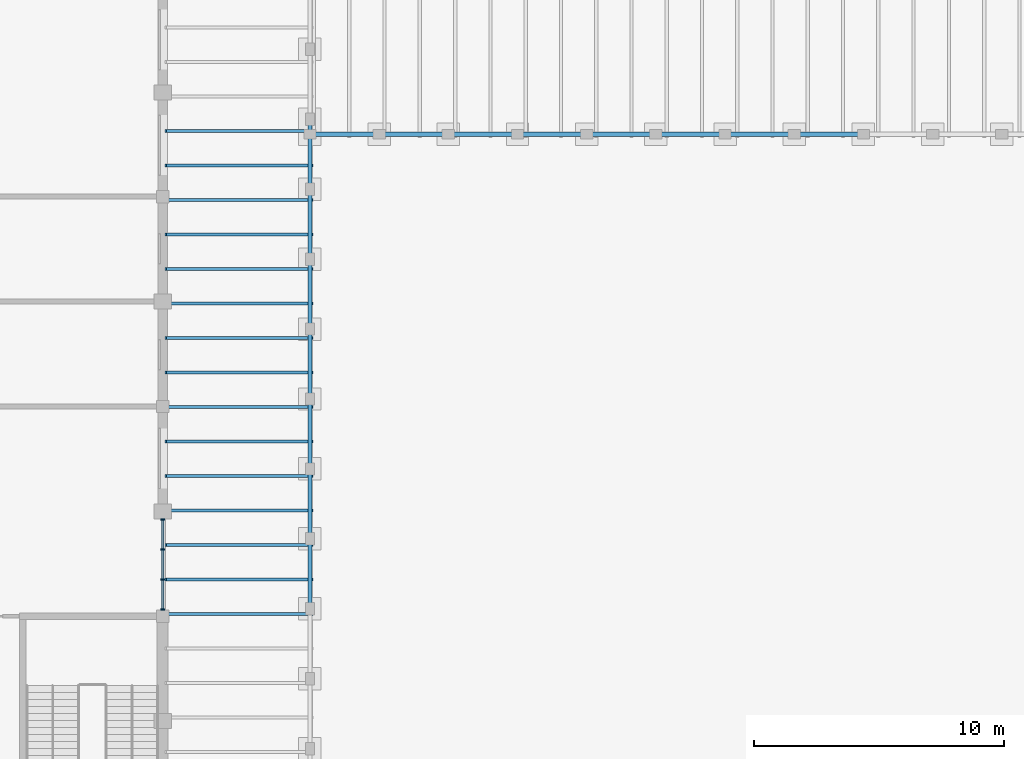
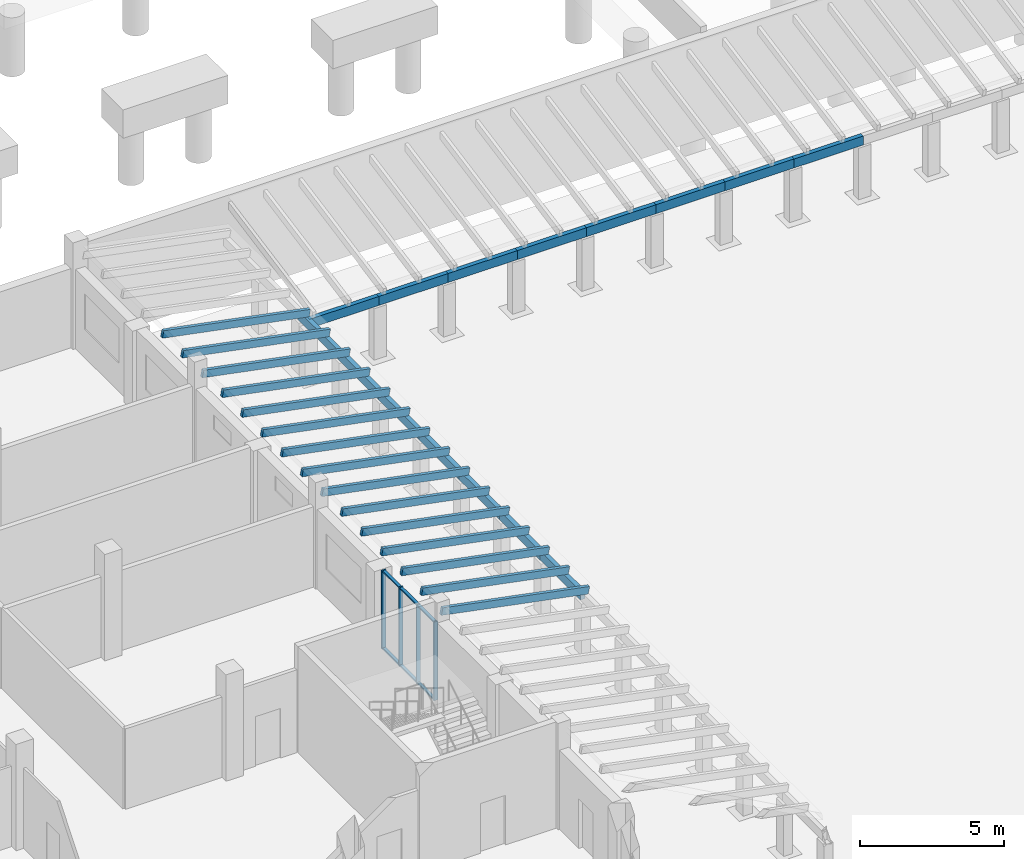
# One storey, part 12 of 60: 25 members, 15 beams, 1 element without a shape of its own.
"""IFC4 building model written with IfcOpenShell, lengths in metres."""

from ifc_helpers import new_model, si_unit, direction, frame, origin, origin_2d, place, context, subcontext, project, spatial, rectangle, extrude, material, material_profile, profile_set, type_object, element, aggregate, save


model = new_model("IFC4")

# Units and contexts
model_context = context("Model", 3, precision=1e-05, world=origin(), true_north=direction((0.0, 1.0)))
body_context = subcontext(model_context, "Body", "Model", "MODEL_VIEW")
ifc_project = project(units=[si_unit("LENGTHUNIT", "METRE"), si_unit("AREAUNIT", "SQUARE_METRE"), si_unit("VOLUMEUNIT", "CUBIC_METRE"), si_unit("PLANEANGLEUNIT", "RADIAN"), si_unit("MASSUNIT", "GRAM", prefix="KILO")], contexts=[model_context])

# Site, building, storey
site_placement = place(None, origin())
site = spatial("IfcSite", under=ifc_project, at=site_placement, CompositionType="ELEMENT")
building_placement = place(site_placement, origin())
building = spatial("IfcBuilding", under=site, at=building_placement, Name="Fescue Hill Polytechnic", CompositionType="ELEMENT")
storey_placement = place(building_placement, frame((0.0, 0.0, 4.5)))
storey = spatial("IfcBuildingStorey", under=building, at=storey_placement, Name="L01", CompositionType="ELEMENT", Elevation=4.5)

# Curtain wall, members
ifc_material_1 = material(Name="Glass", Category="glass")
curtain_wall_type = type_object("IfcCurtainWallType", Name="Curtain wall structural glazing", PredefinedType="NOTDEFINED", material=ifc_material_1)
curtain_wall_placement = place(storey_placement, origin())
curtain_wall = element("IfcCurtainWall", 1, at=curtain_wall_placement, inside=storey, type_object=curtain_wall_type, Name="CW-L01-V4-X1", PredefinedType="NOTDEFINED")
ifc_material_2 = material(Name="Powder-coated aluminium", Category="aluminium")
ifc_material_profile_1 = material_profile(ifc_material_2, rectangle(XDim=0.159912109375, YDim=0.06005859375, at=origin_2d()), Name="Mullion aluminium 60x160")
ifc_profile_set_1 = profile_set([ifc_material_profile_1], Name="Powder-coated aluminium")
member_type_1 = type_object("IfcMemberType", Name="Mullion aluminium 60x160", PredefinedType="MULLION", material=ifc_profile_set_1)
member_1_placement = place(storey_placement, frame((25.199951171875, 84.280029296875, 0.0), z_axis=(0.0, 0.0, 1.0), x_axis=(-1.0, 0.0, 0.0)))
member_1 = element("IfcMember", 2, at=member_1_placement, type_object=member_type_1, Name="CW134 mullion 1", PredefinedType="MULLION", context=body_context, shape_type="SweptSolid", body=[
    extrude(rectangle(XDim=0.159912109375, YDim=0.06005859375, at=origin_2d()), origin(), (0.0, 0.0, 1.0), 3.330078125),
])
member_2_placement = place(storey_placement, frame((25.199951171875, 85.466552734375, 0.0), z_axis=(0.0, 0.0, 1.0), x_axis=(-1.0, 0.0, 0.0)))
member_2 = element("IfcMember", 3, at=member_2_placement, type_object=member_type_1, Name="CW134 mullion 2", PredefinedType="MULLION", context=body_context, shape_type="SweptSolid", body=[
    extrude(rectangle(XDim=0.159912109375, YDim=0.06005859375, at=origin_2d()), origin(), (0.0, 0.0, 1.0), 3.330078125),
])
member_3_placement = place(storey_placement, frame((25.199951171875, 86.683349609375, 0.0), z_axis=(0.0, 0.0, 1.0), x_axis=(-1.0, 0.0, 0.0)))
member_3 = element("IfcMember", 4, at=member_3_placement, type_object=member_type_1, Name="CW134 mullion 3", PredefinedType="MULLION", context=body_context, shape_type="SweptSolid", body=[
    extrude(rectangle(XDim=0.159912109375, YDim=0.06005859375, at=origin_2d()), origin(), (0.0, 0.0, 1.0), 3.330078125),
])
member_4_placement = place(storey_placement, frame((25.199951171875, 87.8701171875, 0.0), z_axis=(0.0, 0.0, 1.0), x_axis=(-1.0, 0.0, 0.0)))
member_4 = element("IfcMember", 5, at=member_4_placement, type_object=member_type_1, Name="CW134 mullion 4", PredefinedType="MULLION", context=body_context, shape_type="SweptSolid", body=[
    extrude(rectangle(XDim=0.159912109375, YDim=0.06005859375, at=origin_2d()), origin(), (0.0, 0.0, 1.0), 3.330078125),
])
ifc_material_profile_2 = material_profile(ifc_material_2, rectangle(XDim=0.1201171875, YDim=0.06005859375, at=origin_2d()), Name="Transom aluminium 60x120")
ifc_profile_set_2 = profile_set([ifc_material_profile_2], Name="Powder-coated aluminium")
member_type_2 = type_object("IfcMemberType", Name="Transom aluminium 60x120", PredefinedType="USERDEFINED", material=ifc_profile_set_2)
member_5_placement = place(storey_placement, frame((25.199951171875, 84.31005859375, 0.030029296875), z_axis=(0.0, 1.0, 0.0), x_axis=(-1.0, 0.0, 0.0)))
member_5 = element("IfcMember", 6, at=member_5_placement, type_object=member_type_2, Name="CW134 transom 1.1", ObjectType="TRANSOM", PredefinedType="USERDEFINED", context=body_context, shape_type="SweptSolid", body=[
    extrude(rectangle(XDim=0.1201171875, YDim=0.06005859375, at=origin_2d()), origin(), (0.0, 0.0, 1.0), 1.126708984375),
])
member_6_placement = place(storey_placement, frame((25.199951171875, 84.31005859375, 3.300048828125), z_axis=(0.0, 1.0, 0.0), x_axis=(-1.0, 0.0, 0.0)))
member_6 = element("IfcMember", 7, at=member_6_placement, type_object=member_type_2, Name="CW134 transom 1.2", ObjectType="TRANSOM", PredefinedType="USERDEFINED", context=body_context, shape_type="SweptSolid", body=[
    extrude(rectangle(XDim=0.1201171875, YDim=0.06005859375, at=origin_2d()), origin(), (0.0, 0.0, 1.0), 1.126708984375),
])
member_7_placement = place(storey_placement, frame((25.199951171875, 85.49658203125, 0.030029296875), z_axis=(0.0, 1.0, 0.0), x_axis=(-1.0, 0.0, 0.0)))
member_7 = element("IfcMember", 8, at=member_7_placement, type_object=member_type_2, Name="CW134 transom 2.1", ObjectType="TRANSOM", PredefinedType="USERDEFINED", context=body_context, shape_type="SweptSolid", body=[
    extrude(rectangle(XDim=0.1201171875, YDim=0.06005859375, at=origin_2d()), origin(), (0.0, 0.0, 1.0), 1.15673828125),
])
member_8_placement = place(storey_placement, frame((25.199951171875, 85.49658203125, 3.300048828125), z_axis=(0.0, 1.0, 0.0), x_axis=(-1.0, 0.0, 0.0)))
member_8 = element("IfcMember", 9, at=member_8_placement, type_object=member_type_2, Name="CW134 transom 2.2", ObjectType="TRANSOM", PredefinedType="USERDEFINED", context=body_context, shape_type="SweptSolid", body=[
    extrude(rectangle(XDim=0.1201171875, YDim=0.06005859375, at=origin_2d()), origin(), (0.0, 0.0, 1.0), 1.15673828125),
])
member_9_placement = place(storey_placement, frame((25.199951171875, 86.71337890625, 0.030029296875), z_axis=(0.0, 1.0, 0.0), x_axis=(-1.0, 0.0, 0.0)))
member_9 = element("IfcMember", 10, at=member_9_placement, type_object=member_type_2, Name="CW134 transom 3.1", ObjectType="TRANSOM", PredefinedType="USERDEFINED", context=body_context, shape_type="SweptSolid", body=[
    extrude(rectangle(XDim=0.1201171875, YDim=0.06005859375, at=origin_2d()), origin(), (0.0, 0.0, 1.0), 1.126708984375),
])
member_10_placement = place(storey_placement, frame((25.199951171875, 86.71337890625, 3.300048828125), z_axis=(0.0, 1.0, 0.0), x_axis=(-1.0, 0.0, 0.0)))
member_10 = element("IfcMember", 11, at=member_10_placement, type_object=member_type_2, Name="CW134 transom 3.2", ObjectType="TRANSOM", PredefinedType="USERDEFINED", context=body_context, shape_type="SweptSolid", body=[
    extrude(rectangle(XDim=0.1201171875, YDim=0.06005859375, at=origin_2d()), origin(), (0.0, 0.0, 1.0), 1.126708984375),
])
aggregate(curtain_wall, [member_1, member_2, member_3, member_4, member_5, member_6, member_7, member_8, member_9, member_10])

# Beams
ifc_material_3 = material(Name="Glulam 24f-EX", Category="wood")
ifc_material_profile_3 = material_profile(ifc_material_3, rectangle(XDim=0.175048828125, YDim=0.3798828125, at=origin_2d()), Name="Veranda eaves beam 175x380")
ifc_profile_set_3 = profile_set([ifc_material_profile_3], Name="Glulam 24f-EX")
beam_type = type_object("IfcBeamType", Name="Veranda eaves beam 175x380", PredefinedType="BEAM", material=ifc_profile_set_3)
beam_1_placement = place(storey_placement, frame((31.10009765625, 84.300048828125, 2.365966796875), z_axis=(0.0, 1.0, 0.0), x_axis=(-1.0, 0.0, 0.0)))
element("IfcBeam", 12, at=beam_1_placement, inside=storey, type_object=beam_type, Name="Laboratory veranda eaves beam", PredefinedType="BEAM", context=body_context, shape_type="SweptSolid", body=[
    extrude(rectangle(XDim=0.175048828125, YDim=0.3798828125, at=origin_2d()), origin(), (0.0, 0.0, 1.0), 2.800048828125),
])
beam_2_placement = place(storey_placement, frame((31.10009765625, 87.10009765625, 2.365966796875), z_axis=(0.0, 1.0, 0.0), x_axis=(-1.0, 0.0, 0.0)))
element("IfcBeam", 13, at=beam_2_placement, inside=storey, type_object=beam_type, Name="Laboratory veranda eaves beam", PredefinedType="BEAM", context=body_context, shape_type="SweptSolid", body=[
    extrude(rectangle(XDim=0.175048828125, YDim=0.3798828125, at=origin_2d()), origin(), (0.0, 0.0, 1.0), 2.7998046875),
])
for number, where, z_axis, x_axis, name in (
    (14, (31.10009765625, 89.89990234375, 2.365966796875), (0.0, 1.0, 0.0), (-1.0, 0.0, 0.0), "Laboratory veranda eaves beam"),
    (15, (31.10009765625, 92.699951171875, 2.365966796875), (0.0, 1.0, 0.0), (-1.0, 0.0, 0.0), "Laboratory veranda eaves beam"),
    (16, (31.10009765625, 95.5, 2.365966796875), (0.0, 1.0, 0.0), (-1.0, 0.0, 0.0), "Laboratory veranda eaves beam"),
    (17, (31.10009765625, 98.300048828125, 2.365966796875), (0.0, 1.0, 0.0), (-1.0, 0.0, 0.0), "Laboratory veranda eaves beam"),
):
    element("IfcBeam", number, at=place(storey_placement, frame(where, z_axis=z_axis, x_axis=x_axis)), inside=storey, type_object=beam_type, Name=name, PredefinedType="BEAM", context=body_context, shape_type="SweptSolid", body=[
        extrude(rectangle(XDim=0.175048828125, YDim=0.3798828125, at=origin_2d()), origin(), (0.0, 0.0, 1.0), 2.800048828125),
    ])
beam_3_placement = place(storey_placement, frame((31.10009765625, 101.10009765625, 2.365966796875), z_axis=(0.0, 1.0, 0.0), x_axis=(-1.0, 0.0, 0.0)))
element("IfcBeam", 18, at=beam_3_placement, inside=storey, type_object=beam_type, Name="Laboratory veranda eaves beam", PredefinedType="BEAM", context=body_context, shape_type="SweptSolid", body=[
    extrude(rectangle(XDim=0.175048828125, YDim=0.3798828125, at=origin_2d()), origin(), (0.0, 0.0, 1.0), 2.7998046875),
])
beam_4_placement = place(storey_placement, frame((31.10009765625, 103.300048828125, 2.365966796875), z_axis=(1.0, 0.0, 0.0), x_axis=(0.0, 1.0, 0.0)))
element("IfcBeam", 19, at=beam_4_placement, inside=storey, type_object=beam_type, Name="Court north veranda eaves beam", PredefinedType="BEAM", context=body_context, shape_type="SweptSolid", body=[
    extrude(rectangle(XDim=0.175048828125, YDim=0.3798828125, at=origin_2d()), origin(), (0.0, 0.0, 1.0), 2.77001953125),
])
beam_5_placement = place(storey_placement, frame((33.8701171875, 103.300048828125, 2.365966796875), z_axis=(1.0, 0.0, 0.0), x_axis=(0.0, 1.0, 0.0)))
element("IfcBeam", 20, at=beam_5_placement, inside=storey, type_object=beam_type, Name="Court north veranda eaves beam", PredefinedType="BEAM", context=body_context, shape_type="SweptSolid", body=[
    extrude(rectangle(XDim=0.175048828125, YDim=0.3798828125, at=origin_2d()), origin(), (0.0, 0.0, 1.0), 2.769775390625),
])
for number, where, z_axis, x_axis, name in (
    (21, (36.639892578125, 103.300048828125, 2.365966796875), (1.0, 0.0, 0.0), (0.0, 1.0, 0.0), "Court north veranda eaves beam"),
    (22, (39.409912109375, 103.300048828125, 2.365966796875), (1.0, 0.0, 0.0), (0.0, 1.0, 0.0), "Court north veranda eaves beam"),
    (23, (42.179931640625, 103.300048828125, 2.365966796875), (1.0, 0.0, 0.0), (0.0, 1.0, 0.0), "Court north veranda eaves beam"),
    (24, (44.949951171875, 103.300048828125, 2.365966796875), (1.0, 0.0, 0.0), (0.0, 1.0, 0.0), "Court north veranda eaves beam"),
    (25, (47.719970703125, 103.300048828125, 2.365966796875), (1.0, 0.0, 0.0), (0.0, 1.0, 0.0), "Court north veranda eaves beam"),
    (26, (50.489990234375, 103.300048828125, 2.365966796875), (1.0, 0.0, 0.0), (0.0, 1.0, 0.0), "Court north veranda eaves beam"),
):
    element("IfcBeam", number, at=place(storey_placement, frame(where, z_axis=z_axis, x_axis=x_axis)), inside=storey, type_object=beam_type, Name=name, PredefinedType="BEAM", context=body_context, shape_type="SweptSolid", body=[
        extrude(rectangle(XDim=0.175048828125, YDim=0.3798828125, at=origin_2d()), origin(), (0.0, 0.0, 1.0), 2.77001953125),
    ])

# Members
ifc_material_profile_4 = material_profile(ifc_material_3, rectangle(XDim=0.1298828125, YDim=0.303955078125, at=origin_2d()), Name="Veranda rafter 130x304")
ifc_profile_set_4 = profile_set([ifc_material_profile_4], Name="Glulam 24f-EX")
member_type_3 = type_object("IfcMemberType", Name="Veranda rafter 130x304", PredefinedType="RAFTER", material=ifc_profile_set_4)
for number, where, z_axis, x_axis, name in (
    (27, (25.324951171875, 84.093994140625, 3.84130859375), (0.981378618916, 0.0, -0.192083331744), (0.0, 1.0, 0.0), "Laboratory veranda rafter"),
    (28, (25.324951171875, 85.475341796875, 3.84130859375), (0.981378618916, 0.0, -0.192083331744), (0.0, 1.0, 0.0), "Laboratory veranda rafter"),
    (29, (25.324951171875, 86.85693359375, 3.84130859375), (0.981378618916, 0.0, -0.192083331744), (0.0, 1.0, 0.0), "Laboratory veranda rafter"),
    (30, (25.324951171875, 88.23828125, 3.84130859375), (0.981378618916, 0.0, -0.192083331744), (0.0, 1.0, 0.0), "Laboratory veranda rafter"),
    (31, (25.324951171875, 89.61962890625, 3.84130859375), (0.981378618916, 0.0, -0.192083331744), (0.0, 1.0, 0.0), "Laboratory veranda rafter"),
    (32, (25.324951171875, 91.001220703125, 3.84130859375), (0.981378618916, 0.0, -0.192083331744), (0.0, 1.0, 0.0), "Laboratory veranda rafter"),
    (33, (25.324951171875, 92.382568359375, 3.84130859375), (0.981378618916, 0.0, -0.192083331744), (0.0, 1.0, 0.0), "Laboratory veranda rafter"),
    (34, (25.324951171875, 93.76416015625, 3.84130859375), (0.981378618916, 0.0, -0.192083331744), (0.0, 1.0, 0.0), "Laboratory veranda rafter"),
    (35, (25.324951171875, 95.1455078125, 3.84130859375), (0.981378618916, 0.0, -0.192083331744), (0.0, 1.0, 0.0), "Laboratory veranda rafter"),
    (36, (25.324951171875, 96.52685546875, 3.84130859375), (0.981378618916, 0.0, -0.192083331744), (0.0, 1.0, 0.0), "Laboratory veranda rafter"),
    (37, (25.324951171875, 97.908447265625, 3.84130859375), (0.981378618916, 0.0, -0.192083331744), (0.0, 1.0, 0.0), "Laboratory veranda rafter"),
    (38, (25.324951171875, 99.289794921875, 3.84130859375), (0.981378618916, 0.0, -0.192083331744), (0.0, 1.0, 0.0), "Laboratory veranda rafter"),
    (39, (25.324951171875, 100.67138671875, 3.84130859375), (0.981378618916, 0.0, -0.192083331744), (0.0, 1.0, 0.0), "Laboratory veranda rafter"),
    (40, (25.324951171875, 102.052734375, 3.84130859375), (0.981378618916, 0.0, -0.192083331744), (0.0, 1.0, 0.0), "Laboratory veranda rafter"),
    (41, (25.324951171875, 103.434326171875, 3.84130859375), (0.981378618916, 0.0, -0.192083331744), (0.0, 1.0, 0.0), "Laboratory veranda rafter"),
):
    element("IfcMember", number, at=place(storey_placement, frame(where, z_axis=z_axis, x_axis=x_axis)), inside=storey, type_object=member_type_3, Name=name, PredefinedType="RAFTER", context=body_context, shape_type="SweptSolid", body=[
        extrude(rectangle(XDim=0.1298828125, YDim=0.303955078125, at=origin_2d()), origin(), (0.0, 0.0, 1.0), 5.986572265625),
    ])

save(model, "model.ifc")
